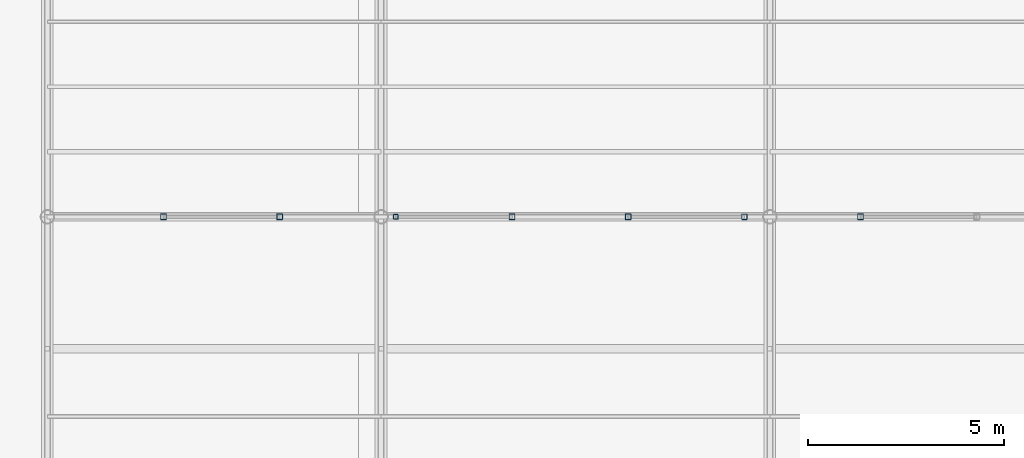
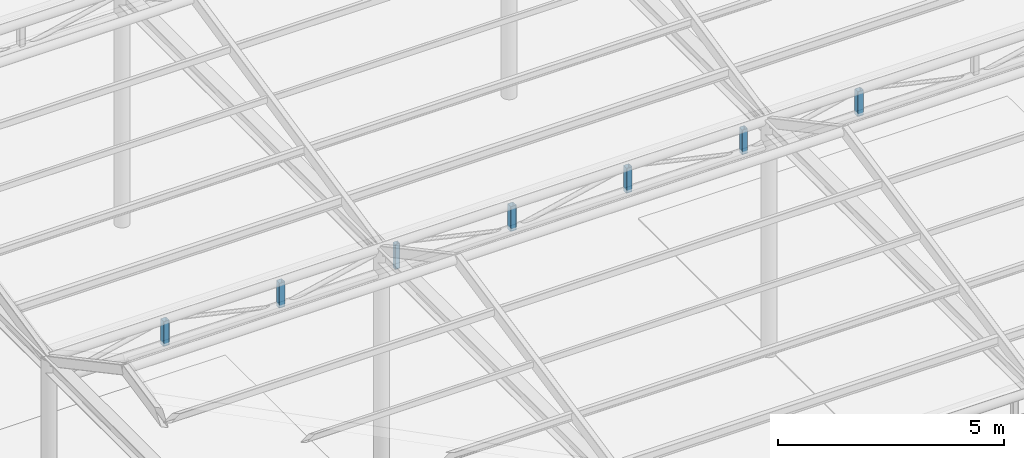
# One storey, part 61 of 118: 7 members.
"""IFC4 building model written with IfcOpenShell, lengths in metres."""

from ifc_helpers import new_model, si_unit, direction, frame, origin, origin_2d, place, context, subcontext, project, spatial, hollow_rectangle, extrude, material, material_profile, profile_set, type_object, element, save


model = new_model("IFC4")

# Units and contexts
model_context = context("Model", 3, precision=1e-05, world=origin(), true_north=direction((0.0, 1.0)))
body_context = subcontext(model_context, "Body", "Model", "MODEL_VIEW")
ifc_project = project(units=[si_unit("LENGTHUNIT", "METRE"), si_unit("AREAUNIT", "SQUARE_METRE"), si_unit("VOLUMEUNIT", "CUBIC_METRE"), si_unit("PLANEANGLEUNIT", "RADIAN"), si_unit("MASSUNIT", "GRAM", prefix="KILO")], contexts=[model_context])

# Site, building, storey
site_placement = place(None, origin())
site = spatial("IfcSite", under=ifc_project, at=site_placement, CompositionType="ELEMENT")
building_placement = place(site_placement, origin())
building = spatial("IfcBuilding", under=site, at=building_placement, Name="Kolvaren Corner Interchange", CompositionType="ELEMENT")
storey_placement = place(building_placement, origin())
storey = spatial("IfcBuildingStorey", under=building, at=storey_placement, Name="L01", CompositionType="ELEMENT", Elevation=0.0)

# Members
ifc_material_1 = material(Name="Steel S355", Category="steel")
ifc_material_profile_1 = material_profile(ifc_material_1, hollow_rectangle(XDim=0.1201171875, YDim=0.1201171875, WallThickness=0.00634765625, InnerFilletRadius=0.00634765625, OuterFilletRadius=0.0126953125, at=origin_2d()), Name="SHS 120x120x6.3")
ifc_profile_set_1 = profile_set([ifc_material_profile_1], Name="Steel S355")
member_type_1 = type_object("IfcMemberType", Name="MEM-PT-SHS120", PredefinedType="POST", material=ifc_profile_set_1)
member_1_placement = place(storey_placement, frame((136.875, 90.0, 5.64990234375), z_axis=(0.0, 0.0, 1.0), x_axis=(1.0, 0.0, 0.0)))
element("IfcMember", 1, at=member_1_placement, inside=storey, type_object=member_type_1, Name="Bus Canopy Sawtooth Roof Truss 05 Web Post 04", PredefinedType="POST", context=body_context, shape_type="SweptSolid", body=[
    extrude(hollow_rectangle(XDim=0.1201171875, YDim=0.1201171875, WallThickness=0.00634765625, InnerFilletRadius=0.00634765625, OuterFilletRadius=0.0126953125, at=origin_2d()), origin(), (0.0, 0.0, 1.0), 0.670166015625),
])
ifc_material_2 = material(Name="Steel S355", Category="steel")
ifc_material_profile_2 = material_profile(ifc_material_2, hollow_rectangle(XDim=0.139892578125, YDim=0.139892578125, WallThickness=0.008056640625, InnerFilletRadius=0.008056640625, OuterFilletRadius=0.01611328125, at=origin_2d()), Name="SHS 140x140x8.0")
ifc_profile_set_2 = profile_set([ifc_material_profile_2], Name="Steel S355")
member_type_2 = type_object("IfcMemberType", Name="MEM-PT-SHS140", PredefinedType="POST", material=ifc_profile_set_2)
member_2_placement = place(storey_placement, frame((145.75, 90.0, 5.64990234375), z_axis=(0.0, 0.0, 1.0), x_axis=(1.0, 0.0, 0.0)))
element("IfcMember", 2, at=member_2_placement, inside=storey, type_object=member_type_2, Name="Bus Canopy Sawtooth Roof Truss 05 Web Post 07", PredefinedType="POST", context=body_context, shape_type="SweptSolid", body=[
    extrude(hollow_rectangle(XDim=0.139892578125, YDim=0.139892578125, WallThickness=0.008056640625, InnerFilletRadius=0.008056640625, OuterFilletRadius=0.01611328125, at=origin_2d()), origin(), (0.0, 0.0, 1.0), 0.670166015625),
])
ifc_material_3 = material(Name="Steel S355", Category="steel")
ifc_material_profile_3 = material_profile(ifc_material_3, hollow_rectangle(XDim=0.14990234375, YDim=0.14990234375, WallThickness=0.008056640625, InnerFilletRadius=0.008056640625, OuterFilletRadius=0.01611328125, at=origin_2d()), Name="SHS 150x150x8.0")
ifc_profile_set_3 = profile_set([ifc_material_profile_3], Name="Steel S355")
member_type_3 = type_object("IfcMemberType", Name="MEM-PT-SHS150", PredefinedType="POST", material=ifc_profile_set_3)
for number, where, z_axis, x_axis, name in (
    (3, (130.958251953125, 90.0, 5.64990234375), (0.0, 0.0, 1.0), (1.0, 0.0, 0.0), "Bus Canopy Sawtooth Roof Truss 05 Web Post 02"),
    (4, (133.916748046875, 90.0, 5.64990234375), (0.0, 0.0, 1.0), (1.0, 0.0, 0.0), "Bus Canopy Sawtooth Roof Truss 05 Web Post 03"),
    (5, (139.833251953125, 90.0, 5.64990234375), (0.0, 0.0, 1.0), (1.0, 0.0, 0.0), "Bus Canopy Sawtooth Roof Truss 05 Web Post 05"),
    (6, (142.791748046875, 90.0, 5.64990234375), (0.0, 0.0, 1.0), (1.0, 0.0, 0.0), "Bus Canopy Sawtooth Roof Truss 05 Web Post 06"),
    (7, (148.708251953125, 90.0, 5.64990234375), (0.0, 0.0, 1.0), (1.0, 0.0, 0.0), "Bus Canopy Sawtooth Roof Truss 05 Web Post 08"),
):
    element("IfcMember", number, at=place(storey_placement, frame(where, z_axis=z_axis, x_axis=x_axis)), inside=storey, type_object=member_type_3, Name=name, PredefinedType="POST", context=body_context, shape_type="SweptSolid", body=[
        extrude(hollow_rectangle(XDim=0.14990234375, YDim=0.14990234375, WallThickness=0.008056640625, InnerFilletRadius=0.008056640625, OuterFilletRadius=0.01611328125, at=origin_2d()), origin(), (0.0, 0.0, 1.0), 0.670166015625),
    ])

save(model, "model.ifc")
